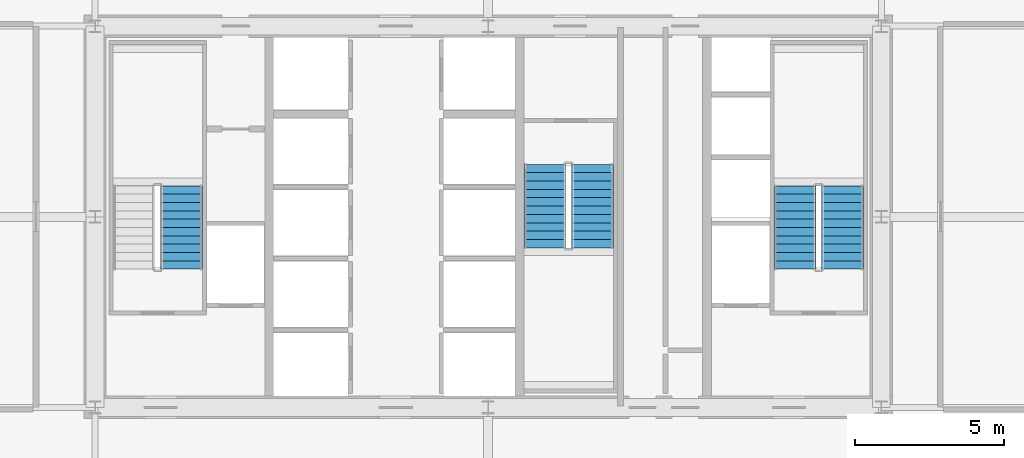
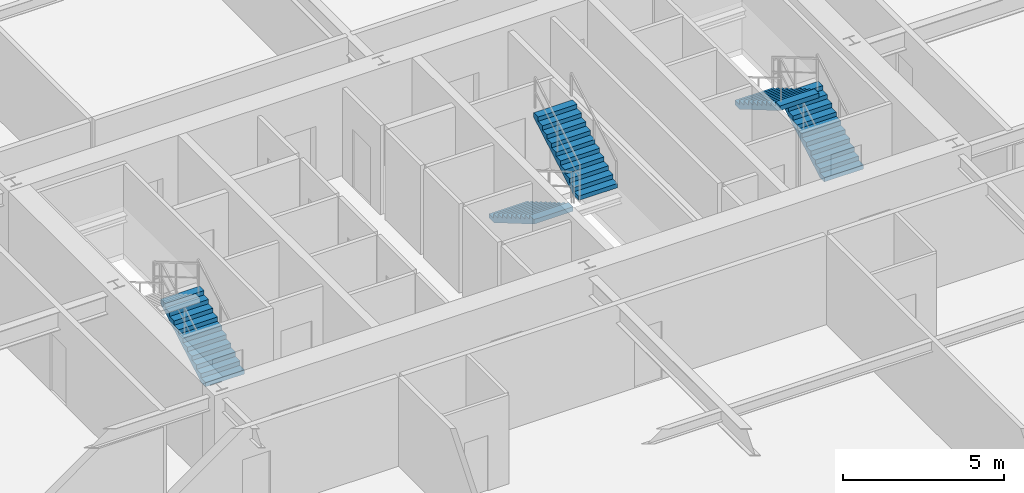
# One storey, part 42 of 43: 5 stair flights, 3 elements without a shape of their own.
"""IFC4 building model written with IfcOpenShell, lengths in metres."""

from ifc_helpers import new_model, si_unit, direction, frame, origin, place, context, subcontext, project, spatial, polyline, outline, extrude, source, transform, mapped, material, type_object, element, aggregate, save


model = new_model("IFC4")

# Units and contexts
model_context = context("Model", 3, precision=1e-05, world=origin(), true_north=direction((0.0, 1.0)))
body_context = subcontext(model_context, "Body", "Model", "MODEL_VIEW")
ifc_project = project(units=[si_unit("LENGTHUNIT", "METRE"), si_unit("AREAUNIT", "SQUARE_METRE"), si_unit("VOLUMEUNIT", "CUBIC_METRE"), si_unit("PLANEANGLEUNIT", "RADIAN"), si_unit("MASSUNIT", "GRAM", prefix="KILO"), si_unit("THERMODYNAMICTEMPERATUREUNIT", "KELVIN"), si_unit("POWERUNIT", "WATT")], contexts=[model_context])

# Site, building, storey
site_placement = place(None, origin())
site = spatial("IfcSite", under=ifc_project, at=site_placement, CompositionType="ELEMENT")
building_placement = place(site_placement, origin())
building = spatial("IfcBuilding", under=site, at=building_placement, Name="Yuzanri Waterfront Tower", CompositionType="ELEMENT")
storey_placement = place(building_placement, frame((0.0, 0.0, 108.199951171875)))
storey = spatial("IfcBuildingStorey", under=building, at=storey_placement, Name="L28", CompositionType="ELEMENT", Elevation=108.199951171875)

# Stair, stair flight
ifc_material_1 = material(Name="Concrete C40", Category="concrete")
stair_type = type_object("IfcStairType", Name="Concrete C40 Core Dogleg Exit Stair", PredefinedType="HALF_TURN_STAIR", material=ifc_material_1)
stair_1_placement = place(storey_placement, origin())
stair_1 = element("IfcStair", 1, at=stair_1_placement, inside=storey, type_object=stair_type, Name="L28 Smoke-Proof Core Stair ST-01", PredefinedType="HALF_TURN_STAIR")
ifc_material_2 = material(Name="Concrete C40", Category="concrete")
stair_flight_type = type_object("IfcStairFlightType", Name="Concrete C40 Precast Stair Flight 1380", PredefinedType="STRAIGHT", material=ifc_material_2)
shared_shape = source(origin(), body_context, "Body", "SweptSolid", [
    extrude(outline(polyline([(0.0, 0.0), (0.0, 0.16357421875), (0.280029296875, 0.16357421875), (0.280029296875, 0.327392578125), (0.56005859375, 0.327392578125), (0.56005859375, 0.490966796875), (0.840087890625, 0.490966796875), (0.840087890625, 0.654541015625), (1.1201171875, 0.654541015625), (1.1201171875, 0.818115234375), (1.39990234375, 0.818115234375), (1.39990234375, 0.98193359375), (1.679931640625, 0.98193359375), (1.679931640625, 1.1455078125), (1.9599609375, 1.1455078125), (1.9599609375, 1.30908203125), (2.239990234375, 1.30908203125), (2.239990234375, 1.47265625), (2.52001953125, 1.47265625), (2.52001953125, 1.636474609375), (2.800048828125, 1.636474609375), (2.800048828125, 1.800048828125), (2.800048828125, 1.462646484375), (0.297119140625, 0.0), (0.0, 0.0)])), frame((0.0, 0.699951171875, 0.0), z_axis=(0.0, -1.0, 0.0), x_axis=(1.0, 0.0, 0.0)), (0.0, 0.0, 1.0), 1.39990234375),
])
stair_flight_1_placement = place(storey_placement, frame((26.699951171875, 24.0400390625, 0.0), z_axis=(0.0, 0.0, 1.0), x_axis=(0.0, 1.0, 0.0)))
stair_flight_1 = element("IfcStairFlight", 2, at=stair_flight_1_placement, type_object=stair_flight_type, Name="ST-01 flight 1", NumberOfRisers=11, NumberOfTreads=10, PredefinedType="STRAIGHT", RiserHeight=0.163636364, TreadLength=0.28, context=body_context, shape_type="MappedRepresentation", body=[
    mapped(shared_shape, transform((0.0, 0.0, 0.0), scale=1.0)),
])
aggregate(stair_1, [stair_flight_1])

# Stair, stair flights
stair_2_placement = place(storey_placement, origin())
stair_2 = element("IfcStair", 3, at=stair_2_placement, inside=storey, type_object=stair_type, Name="L28 Smoke-Proof Core Stair ST-02", PredefinedType="HALF_TURN_STAIR")
stair_flight_2_placement = place(storey_placement, frame((48.89990234375, 24.0400390625, 0.0), z_axis=(0.0, 0.0, 1.0), x_axis=(0.0, 1.0, 0.0)))
stair_flight_2 = element("IfcStairFlight", 4, at=stair_flight_2_placement, type_object=stair_flight_type, Name="ST-02 flight 1", NumberOfRisers=11, NumberOfTreads=10, PredefinedType="STRAIGHT", RiserHeight=0.163636364, TreadLength=0.28, context=body_context, shape_type="MappedRepresentation", body=[
    mapped(shared_shape, transform((0.0, 0.0, 0.0), scale=1.0)),
])
stair_flight_3_placement = place(storey_placement, frame((47.300048828125, 26.840087890625, 1.800048828125), z_axis=(0.0, 0.0, 1.0), x_axis=(0.0, -1.0, 0.0)))
stair_flight_3 = element("IfcStairFlight", 5, at=stair_flight_3_placement, type_object=stair_flight_type, Name="ST-02 flight 2", NumberOfRisers=11, NumberOfTreads=10, PredefinedType="STRAIGHT", RiserHeight=0.163636364, TreadLength=0.28, context=body_context, shape_type="MappedRepresentation", body=[
    mapped(shared_shape, transform((0.0, 0.0, 0.0), scale=1.0)),
])
aggregate(stair_2, [stair_flight_2, stair_flight_3])

stair_3_placement = place(storey_placement, origin())
stair_3 = element("IfcStair", 6, at=stair_3_placement, inside=storey, type_object=stair_type, Name="L28 Smoke-Proof Core Stair ST-03", PredefinedType="HALF_TURN_STAIR")
stair_flight_4_placement = place(storey_placement, frame((38.89990234375, 27.56005859375, 0.0), z_axis=(0.0, 0.0, 1.0), x_axis=(0.0, -1.0, 0.0)))
stair_flight_4 = element("IfcStairFlight", 7, at=stair_flight_4_placement, type_object=stair_flight_type, Name="ST-03 flight 1", NumberOfRisers=11, NumberOfTreads=10, PredefinedType="STRAIGHT", RiserHeight=0.163636364, TreadLength=0.28, context=body_context, shape_type="MappedRepresentation", body=[
    mapped(shared_shape, transform((0.0, 0.0, 0.0), scale=1.0)),
])
stair_flight_5_placement = place(storey_placement, frame((40.5, 24.760009765625, 1.800048828125), z_axis=(0.0, 0.0, 1.0), x_axis=(0.0, 1.0, 0.0)))
stair_flight_5 = element("IfcStairFlight", 8, at=stair_flight_5_placement, type_object=stair_flight_type, Name="ST-03 flight 2", NumberOfRisers=11, NumberOfTreads=10, PredefinedType="STRAIGHT", RiserHeight=0.163636364, TreadLength=0.28, context=body_context, shape_type="MappedRepresentation", body=[
    mapped(shared_shape, transform((0.0, 0.0, 0.0), scale=1.0)),
])
aggregate(stair_3, [stair_flight_4, stair_flight_5])

save(model, "model.ifc")
